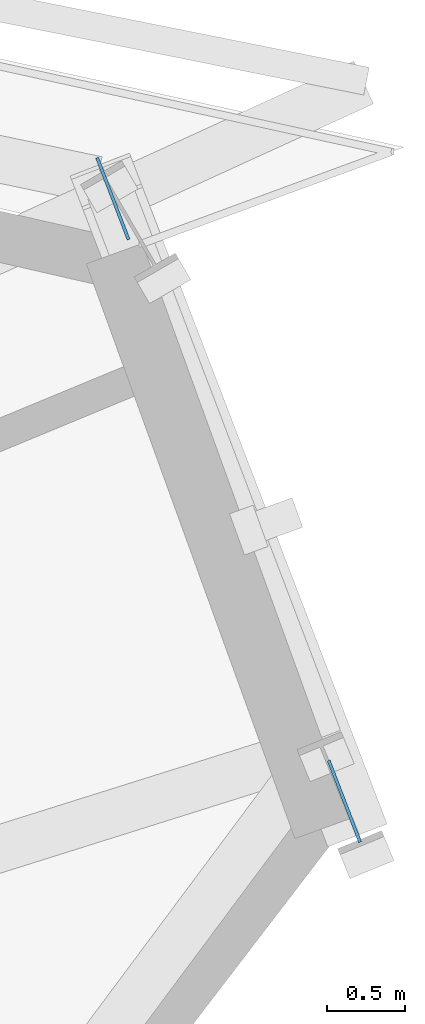
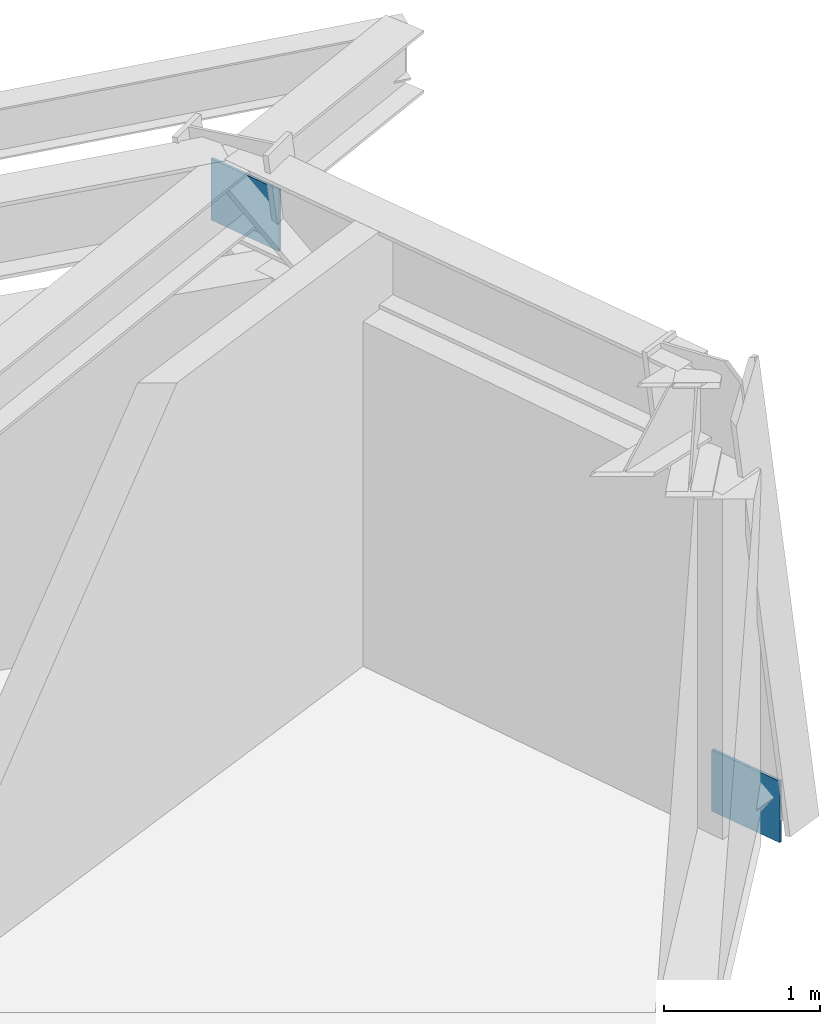
# One storey, part 10 of 17: 2 plates.
"""IFC4 building model written with IfcOpenShell, lengths in metres."""

import ifcopenshell
import ifcopenshell.guid

model = None  # the IFC model being written
_history = None  # IfcOwnerHistory: only IFC2X3 demands one
_inside = {}  # id of a spatial element -> (the spatial element, [elements in it])
_under = {}  # id of a project, library or spatial element -> (it, [spatial elements below it])
_declared = {}  # id of a project -> (the project, [libraries it declares])
_typed = {}  # id of a type object -> (the type object, [elements of that type])
_made_of = {}  # id of a material, layer set ... -> (it, [elements and type objects made of it])


def new_model(schema):
    """Start an empty IFC model of exactly this schema.

    Asked for "IFC4X3", IfcOpenShell would pick the latest addendum, in which some entities
    have other attributes; the version numbers below select the first issue.
    IFC2X3 requires an IfcOwnerHistory on every rooted entity: one is made here for all.
    """
    global model, _history
    if schema == "IFC4X3":
        model = ifcopenshell.file(schema_version=(4, 3, 0, 0))
    else:
        model = ifcopenshell.file(schema=schema)
    _inside.clear()
    _under.clear()
    _declared.clear()
    _typed.clear()
    _made_of.clear()
    _history = None
    if model.schema == "IFC2X3":
        org = make("IfcOrganization", Name="unknown")
        user = make(
            "IfcPersonAndOrganization",
            ThePerson=make("IfcPerson", FamilyName="unknown"),
            TheOrganization=org,
        )
        app = make(
            "IfcApplication",
            ApplicationDeveloper=org,
            Version="unknown",
            ApplicationFullName="unknown",
            ApplicationIdentifier="unknown",
        )
        _history = make(
            "IfcOwnerHistory",
            OwningUser=user,
            OwningApplication=app,
            ChangeAction="ADDED",
            CreationDate=0,
        )
    return model


def make(cls, **values):
    """One entity of the class cls with the attributes given. An attribute that is None is left unset."""
    return model.create_entity(
        cls, **{name: value for name, value in values.items() if value is not None}
    )


def rooted(cls, **values):
    """An entity with a GlobalId (a new one), such as an element, a storey or a relation."""
    return make(cls, GlobalId=ifcopenshell.guid.new(), OwnerHistory=_history, **values)


def si_unit(unit_type, name, prefix=None):
    """IfcSIUnit, for example si_unit("LENGTHUNIT", "METRE", prefix="MILLI")."""
    return make("IfcSIUnit", UnitType=unit_type, Prefix=prefix, Name=name)


def assignment(units):
    """IfcUnitAssignment: the units of a project."""
    return None if units is None else make("IfcUnitAssignment", Units=units)


def point(xyz):
    """IfcCartesianPoint."""
    return None if xyz is None else make("IfcCartesianPoint", Coordinates=xyz)


def direction(xyz):
    """IfcDirection."""
    return None if xyz is None else make("IfcDirection", DirectionRatios=xyz)


def frame(location, z_axis=None, x_axis=None):
    """IfcAxis2Placement3D, a coordinate frame: its origin and axes. An axis left out is left unset."""
    return make(
        "IfcAxis2Placement3D",
        Location=point(location),
        Axis=direction(z_axis),
        RefDirection=direction(x_axis),
    )


def frame_2d(location, x_axis=None):
    """IfcAxis2Placement2D, a coordinate frame in the plane: its origin and x axis."""
    return make(
        "IfcAxis2Placement2D", Location=point(location), RefDirection=direction(x_axis)
    )


def origin():
    """The frame at (0, 0, 0) with its axes left unset."""
    return frame((0.0, 0.0, 0.0))


def origin_2d():
    """The frame at (0, 0) in the plane with its x axis left unset."""
    return frame_2d((0.0, 0.0))


def place(relative_to, where):
    """IfcLocalPlacement: puts the frame where relative to a parent placement (None: the world)."""
    return make(
        "IfcLocalPlacement", PlacementRelTo=relative_to, RelativePlacement=where
    )


def context(
    kind, dimensions, precision=None, world=None, true_north=None, identifier=None
):
    """IfcGeometricRepresentationContext, for example the 3D "Model" context."""
    return make(
        "IfcGeometricRepresentationContext",
        ContextIdentifier=identifier,
        ContextType=kind,
        CoordinateSpaceDimension=dimensions,
        Precision=precision,
        WorldCoordinateSystem=world,
        TrueNorth=true_north,
    )


def subcontext(parent, identifier, kind, view, scale=None):
    """IfcGeometricRepresentationSubContext, for example "Body" below "Model"."""
    return make(
        "IfcGeometricRepresentationSubContext",
        ContextIdentifier=identifier,
        ContextType=kind,
        ParentContext=parent,
        TargetScale=scale,
        TargetView=view,
    )


def project(units=None, contexts=None):
    """IfcProject with its units and contexts."""
    return rooted(
        "IfcProject",
        Name="project",
        RepresentationContexts=contexts,
        UnitsInContext=assignment(units),
    )


def spatial(cls, under=None, at=None, **own):
    """A site, building, storey or space (cls), placed at a placement, below another one or the project."""
    s = rooted(cls, ObjectPlacement=at, **own)
    if under is not None:
        _under.setdefault(under.id(), (under, []))[1].append(s)
    return s


def profile(cls, at=None, kind="AREA", **sizes):
    """A parametric profile (cls). Its sizes go by their IFC names, for example OverallWidth=200.0."""
    return make(cls, ProfileType=kind, Position=at, **sizes)


def rectangle(**sizes):
    """IfcRectangleProfileDef."""
    return profile("IfcRectangleProfileDef", **sizes)


def extrude(swept, where, along, depth):
    """IfcExtrudedAreaSolid: the profile swept, set in the frame where, extruded along a direction by depth."""
    return make(
        "IfcExtrudedAreaSolid",
        SweptArea=swept,
        Position=where,
        ExtrudedDirection=direction(along),
        Depth=depth,
    )


def shape(context_of_items, identifier, shape_type, items):
    """IfcShapeRepresentation: the items that make up one representation, for example the "Body"."""
    return make(
        "IfcShapeRepresentation",
        ContextOfItems=context_of_items,
        RepresentationIdentifier=identifier,
        RepresentationType=shape_type,
        Items=items,
    )


def source(mapping_origin, context_of_items, identifier, shape_type, items):
    """IfcRepresentationMap: a shape defined once, which mapped items show again and again."""
    return make(
        "IfcRepresentationMap",
        MappingOrigin=mapping_origin,
        MappedRepresentation=shape(context_of_items, identifier, shape_type, items),
    )


def transform(
    local_origin,
    x_axis=None,
    y_axis=None,
    z_axis=None,
    scale=None,
    scale2=None,
    scale3=None,
    uniform=True,
):
    """IfcCartesianTransformationOperator3D, or its non-uniform kind. x_axis, y_axis, z_axis: its Axis1, 2, 3."""
    if uniform:
        return make(
            "IfcCartesianTransformationOperator3D",
            Axis1=direction(x_axis),
            Axis2=direction(y_axis),
            LocalOrigin=point(local_origin),
            Scale=scale,
            Axis3=direction(z_axis),
        )
    return make(
        "IfcCartesianTransformationOperator3DnonUniform",
        Axis1=direction(x_axis),
        Axis2=direction(y_axis),
        LocalOrigin=point(local_origin),
        Scale=scale,
        Axis3=direction(z_axis),
        Scale2=scale2,
        Scale3=scale3,
    )


def mapped(mapping_source, mapping_target):
    """IfcMappedItem: shows the shape of a source again, moved by a transform."""
    return make(
        "IfcMappedItem", MappingSource=mapping_source, MappingTarget=mapping_target
    )


def material(Name=None, Category=None):
    """IfcMaterial."""
    return make("IfcMaterial", Name=Name, Category=Category)


def made_of(thing, what):
    """Note that an element or type object is made of a material, layer set ...; save() writes the relation."""
    if what is not None:
        _made_of.setdefault(what.id(), (what, []))[1].append(thing)
    return thing


def type_object(cls, material=None, **own):
    """A type object (cls), such as IfcWallType, which elements share."""
    return made_of(rooted(cls, **own), material)


def element(
    cls,
    number,
    at=None,
    inside=None,
    cuts=None,
    type_object=None,
    material=None,
    context=None,
    identifier="Body",
    shape_type=None,
    held_by="IfcProductDefinitionShape",
    body=None,
    shapes=None,
    **own,
):
    """One element of the class cls, such as IfcWall. Its Tag is "e" and its number.

    at: its placement. inside: the storey or other place that contains it. cuts: it is an
    opening in that element (IfcRelVoidsElement). A single representation is given by context,
    identifier, shape_type and body (its items); several are given by shapes. held_by: the class
    of the entity that holds the representations. save() writes the other relations.
    """
    e = rooted(cls, Tag="e%d" % number, ObjectPlacement=at, **own)
    if body is not None:
        shapes = [shape(context, identifier, shape_type, body)]
    if shapes is not None:
        e.Representation = make(held_by, Representations=shapes)
    if inside is not None:
        _inside.setdefault(inside.id(), (inside, []))[1].append(e)
    if cuts is not None:
        rooted(
            "IfcRelVoidsElement", RelatingBuildingElement=cuts, RelatedOpeningElement=e
        )
    if type_object is not None:
        _typed.setdefault(type_object.id(), (type_object, []))[1].append(e)
    return made_of(e, material)


def aggregate(whole, parts):
    """IfcRelAggregates: a whole, such as a stair, and the parts it consists of."""
    return rooted("IfcRelAggregates", RelatingObject=whole, RelatedObjects=parts)


def save(model, path):
    """Write the relations noted so far, then the file.

    IfcRelAggregates (storeys below a building ...), IfcRelContainedInSpatialStructure (elements
    in a storey), IfcRelDefinesByType, IfcRelAssociatesMaterial and IfcRelDeclares: one each for
    every whole, place, type object, material and project.
    """
    for whole, parts in _under.values():
        aggregate(whole, parts)
    for where, things in _inside.values():
        rooted(
            "IfcRelContainedInSpatialStructure",
            RelatedElements=things,
            RelatingStructure=where,
        )
    for kind, things in _typed.values():
        rooted("IfcRelDefinesByType", RelatedObjects=things, RelatingType=kind)
    for what, things in _made_of.values():
        rooted("IfcRelAssociatesMaterial", RelatedObjects=things, RelatingMaterial=what)
    for by, libraries in _declared.values():
        rooted("IfcRelDeclares", RelatingContext=by, RelatedDefinitions=libraries)
    model.write(path)


model = new_model("IFC4")

# Units and contexts
model_context = context("Model", 3, precision=1e-05, world=origin(), true_north=direction((0.0, 1.0)))
body_context = subcontext(model_context, "Body", "Model", "MODEL_VIEW")
ifc_project = project(units=[si_unit("LENGTHUNIT", "METRE"), si_unit("AREAUNIT", "SQUARE_METRE"), si_unit("VOLUMEUNIT", "CUBIC_METRE"), si_unit("PLANEANGLEUNIT", "RADIAN"), si_unit("MASSUNIT", "GRAM", prefix="KILO")], contexts=[model_context])

# Site, building, storey
site_placement = place(None, origin())
site = spatial("IfcSite", under=ifc_project, at=site_placement, CompositionType="ELEMENT")
building_placement = place(site_placement, origin())
building = spatial("IfcBuilding", under=site, at=building_placement, Name="Olszyna Solenne Hotel", CompositionType="ELEMENT")
storey_placement = place(building_placement, frame((0.0, 0.0, 116.35009765625)))
storey = spatial("IfcBuildingStorey", under=building, at=storey_placement, Name="L30", CompositionType="ELEMENT", Elevation=116.35009765625)

# Plates
ifc_material = material(Name="Steel S355J2", Category="steel")
plate_type = type_object("IfcPlateType", Name="GP-ND2", PredefinedType="USERDEFINED", material=ifc_material)
shared_shape = source(origin(), body_context, "Body", "SweptSolid", [
    extrude(rectangle(XDim=0.56005859375, YDim=0.02001953125, at=origin_2d()), origin(), (0.0, 0.0, 1.0), 0.47998046875),
])
for number, where, z_axis, x_axis, name in (
    (1, (66.70068359375, 35.237548828125, -0.1513671875), (0.0, 0.0, 1.0), (-0.358693808751, 0.93345527561, 0.0), "Brace end connection gusset plate GP-ND2 EP-BR-L30-1-1"),
    (2, (65.222412109375, 39.085693359375, 2.651123046875), (0.0, 0.0, 1.0), (-0.358693808751, 0.93345527561, 0.0), "Brace end connection gusset plate GP-ND2 EP-BR-L30-1-2"),
):
    element("IfcPlate", number, at=place(storey_placement, frame(where, z_axis=z_axis, x_axis=x_axis)), inside=storey, type_object=plate_type, Name=name, ObjectType="GUSSET_PLATE", PredefinedType="USERDEFINED", context=body_context, shape_type="MappedRepresentation", body=[
        mapped(shared_shape, transform((0.0, 0.0, 0.0), x_axis=(1.0, 0.0, 0.0), y_axis=(0.0, 1.0, 0.0), z_axis=(0.0, 0.0, 1.0), scale=1.0)),
    ])

save(model, "model.ifc")
